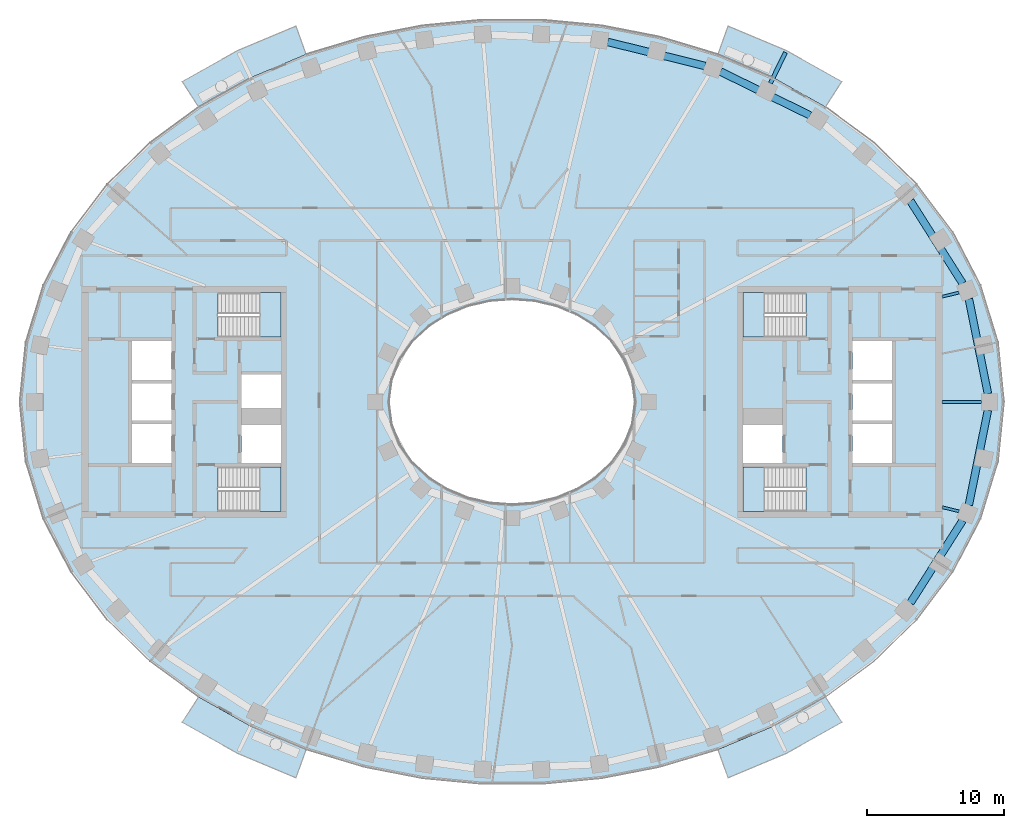
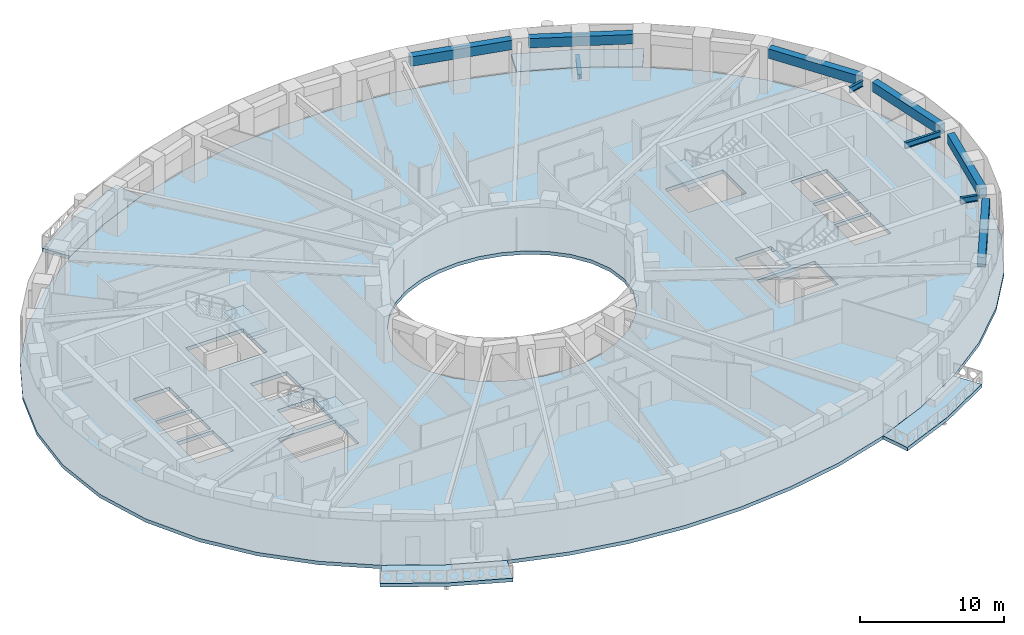
# One storey, part 2 of 15: 10 beams, 9 slabs, 4 elements without a shape of their own.
"""IFC4 building model written with IfcOpenShell, lengths in metres."""

from ifc_helpers import new_model, si_unit, direction, frame, origin, origin_2d, place, context, subcontext, project, spatial, polyline, rectangle, i_section, outline, extrude, material, layer, layer_set, material_profile, profile_set, type_object, element, aggregate, save


model = new_model("IFC4")

# Units and contexts
model_context = context("Model", 3, precision=1e-05, world=origin(), true_north=direction((0.0, 1.0)))
body_context = subcontext(model_context, "Body", "Model", "MODEL_VIEW")
ifc_project = project(units=[si_unit("LENGTHUNIT", "METRE"), si_unit("AREAUNIT", "SQUARE_METRE"), si_unit("VOLUMEUNIT", "CUBIC_METRE"), si_unit("PLANEANGLEUNIT", "RADIAN"), si_unit("MASSUNIT", "GRAM", prefix="KILO")], contexts=[model_context])

# Site, building, storey
site_placement = place(None, origin())
site = spatial("IfcSite", under=ifc_project, at=site_placement, CompositionType="ELEMENT")
building_placement = place(site_placement, origin())
building = spatial("IfcBuilding", under=site, at=building_placement, Name="Noorbagh Ring Tower", CompositionType="ELEMENT")
storey_placement = place(building_placement, frame((0.0, 0.0, 128.0)))
storey = spatial("IfcBuildingStorey", under=building, at=storey_placement, Name="L29", CompositionType="ELEMENT", Elevation=128.0)

# Beams
ifc_material_1 = material(Name="Steel S355", Category="steel")
ifc_material_profile_1 = material_profile(ifc_material_1, i_section(OverallWidth=0.300048828125, OverallDepth=0.39990234375, WebThickness=0.013427734375, FlangeThickness=0.02392578125, FilletRadius=0.027099609375, at=origin_2d()), Name="HEB400")
ifc_profile_set_1 = profile_set([ifc_material_profile_1], Name="Steel S355")
beam_type_1 = type_object("IfcBeamType", Name="STR-BALCONY-BRACKET-HEB400", PredefinedType="BEAM", material=ifc_profile_set_1)
beam_1_placement = place(storey_placement, frame((18.912109375, 23.328857421875, -0.5), z_axis=(0.439227645789, 0.898375798413, 0.0), x_axis=(-0.898375798413, 0.439227645789, 0.0)))
element("IfcBeam", 1, at=beam_1_placement, inside=storey, type_object=beam_type_1, Name="Balcony bracket beam BN02", PredefinedType="BEAM", context=body_context, shape_type="SweptSolid", body=[
    extrude(i_section(OverallWidth=0.300048828125, OverallDepth=0.39990234375, WebThickness=0.013427734375, FlangeThickness=0.02392578125, FilletRadius=0.027099609375, at=origin_2d()), origin(), (0.0, 0.0, 1.0), 2.500244140625),
])
ifc_material_2 = material(Name="Steel S355", Category="steel")
ifc_material_profile_2 = material_profile(ifc_material_2, i_section(OverallWidth=0.199951171875, OverallDepth=0.5, WebThickness=0.01025390625, FlangeThickness=0.01611328125, FilletRadius=0.02099609375, at=origin_2d()), Name="IPE500")
ifc_profile_set_2 = profile_set([ifc_material_profile_2], Name="Steel S355")
beam_type_2 = type_object("IfcBeamType", Name="STR-RAD-IPE500", PredefinedType="BEAM", material=ifc_profile_set_2)
beam_2_placement = place(storey_placement, frame((34.339599609375, 0.0, 3.449951171875), z_axis=(-1.0, 0.0, 0.0), x_axis=(0.0, -1.0, 0.0)))
element("IfcBeam", 2, at=beam_2_placement, inside=storey, type_object=beam_type_2, Name="L29/bm/RD01", PredefinedType="BEAM", context=body_context, shape_type="SweptSolid", body=[
    extrude(i_section(OverallWidth=0.199951171875, OverallDepth=0.5, WebThickness=0.01025390625, FlangeThickness=0.01611328125, FilletRadius=0.02099609375, at=origin_2d()), origin(), (0.0, 0.0, 1.0), 2.859619140625),
])
for number, where, z_axis, x_axis, name in (
    (3, (32.710693359375, 8.00390625, 3.449951171875), (-0.971343647719, -0.237679443865, 0.0), (0.237679443865, -0.971343647719, 0.0), "L29/bm/RD03"),
    (4, (32.710693359375, -8.00390625, 3.449951171875), (-0.971343647719, 0.237679443865, 0.0), (-0.237679443865, -0.971343647719, 0.0), "L29/bm/RD45"),
):
    element("IfcBeam", number, at=place(storey_placement, frame(where, z_axis=z_axis, x_axis=x_axis)), inside=storey, type_object=beam_type_2, Name=name, PredefinedType="BEAM", context=body_context, shape_type="SweptSolid", body=[
        extrude(i_section(OverallWidth=0.199951171875, OverallDepth=0.5, WebThickness=0.01025390625, FlangeThickness=0.01611328125, FilletRadius=0.02099609375, at=origin_2d()), origin(), (0.0, 0.0, 1.0), 1.2666015625),
    ])
ifc_material_3 = material(Name="Concrete C40/50", Category="concrete")
ifc_material_profile_3 = material_profile(ifc_material_3, rectangle(XDim=0.550048828125, YDim=0.800048828125, at=origin_2d()), Name="RC550x800")
ifc_profile_set_3 = profile_set([ifc_material_profile_3], Name="Concrete C40/50")
beam_type_3 = type_object("IfcBeamType", Name="STR-SB-RC550x800-C40-50", PredefinedType="BEAM", material=ifc_profile_set_3)
beam_3_placement = place(storey_placement, frame((34.822998046875, 0.60546875, 3.300048828125), z_axis=(-0.197250205232, 0.98035317949, 0.0), x_axis=(-0.98035317949, -0.197250205232, 0.0)))
element("IfcBeam", 5, at=beam_3_placement, inside=storey, type_object=beam_type_3, Name="L29/bm/SP01", PredefinedType="BEAM", context=body_context, shape_type="SweptSolid", body=[
    extrude(rectangle(XDim=0.550048828125, YDim=0.800048828125, at=origin_2d()), origin(), (0.0, 0.0, 1.0), 7.07861328125),
])
beam_4_placement = place(storey_placement, frame((32.97607421875, 8.668701171875, 3.300048828125), z_axis=(-0.535178715716, 0.844738860385, 0.0), x_axis=(-0.844738860385, -0.535178715716, 0.0)))
element("IfcBeam", 6, at=beam_4_placement, inside=storey, type_object=beam_type_3, Name="L29/bm/SP03", PredefinedType="BEAM", context=body_context, shape_type="SweptSolid", body=[
    extrude(rectangle(XDim=0.550048828125, YDim=0.800048828125, at=origin_2d()), origin(), (0.0, 0.0, 1.0), 7.15478515625),
])
beam_5_placement = place(storey_placement, frame((21.814453125, 20.967529296875, 3.300048828125), z_axis=(-0.898391398986, 0.439195735667, 0.0), x_axis=(-0.439195735667, -0.898391398986, 0.0)))
element("IfcBeam", 7, at=beam_5_placement, inside=storey, type_object=beam_type_3, Name="L29/bm/SP07", PredefinedType="BEAM", context=body_context, shape_type="SweptSolid", body=[
    extrude(rectangle(XDim=0.550048828125, YDim=0.800048828125, at=origin_2d()), origin(), (0.0, 0.0, 1.0), 7.2998046875),
])
beam_6_placement = place(storey_placement, frame((14.118896484375, 24.586669921875, 3.300048828125), z_axis=(-0.970829859213, 0.239769440213, 0.0), x_axis=(-0.239769440213, -0.970829859213, 0.0)))
element("IfcBeam", 8, at=beam_6_placement, inside=storey, type_object=beam_type_3, Name="L29/bm/SP09", PredefinedType="BEAM", context=body_context, shape_type="SweptSolid", body=[
    extrude(rectangle(XDim=0.550048828125, YDim=0.800048828125, at=origin_2d()), origin(), (0.0, 0.0, 1.0), 7.333251953125),
])
beam_7_placement = place(storey_placement, frame((29.14697265625, -14.712646484375, 3.300048828125), z_axis=(0.535178715716, 0.844738860385, 0.0), x_axis=(-0.844738860385, 0.535178715716, 0.0)))
element("IfcBeam", 9, at=beam_7_placement, inside=storey, type_object=beam_type_3, Name="L29/bm/SP43", PredefinedType="BEAM", context=body_context, shape_type="SweptSolid", body=[
    extrude(rectangle(XDim=0.550048828125, YDim=0.800048828125, at=origin_2d()), origin(), (0.0, 0.0, 1.0), 7.15478515625),
])
beam_8_placement = place(storey_placement, frame((33.4267578125, -7.544921875, 3.300048828125), z_axis=(0.197250205232, 0.98035317949, 0.0), x_axis=(-0.98035317949, 0.197250205232, 0.0)))
element("IfcBeam", 10, at=beam_8_placement, inside=storey, type_object=beam_type_3, Name="L29/bm/SP45", PredefinedType="BEAM", context=body_context, shape_type="SweptSolid", body=[
    extrude(rectangle(XDim=0.550048828125, YDim=0.800048828125, at=origin_2d()), origin(), (0.0, 0.0, 1.0), 7.07861328125),
])

# Stair, slab
ifc_material_4 = material(Name="Concrete C40/50", Category="concrete")
stair_type = type_object("IfcStairType", Name="CORE-STAIR", PredefinedType="HALF_TURN_STAIR", material=ifc_material_4)
stair_1_placement = place(storey_placement, origin())
stair_1 = element("IfcStair", 11, at=stair_1_placement, inside=storey, type_object=stair_type, Name="L29 Exit stair ST1", PredefinedType="HALF_TURN_STAIR")
ifc_material_5 = material(Name="Concrete C40/50", Category="concrete")
ifc_layer_1 = layer(ifc_material_5, 0.300048828125)
ifc_layer_set_1 = layer_set([ifc_layer_1], Name="Concrete C40/50")
slab_type_1 = type_object("IfcSlabType", Name="CORE-STAIR-LANDING", PredefinedType="LANDING", material=ifc_layer_set_1)
slab_1_placement = place(storey_placement, frame((0.0, 0.0, 1.699951171875)))
slab_1 = element("IfcSlab", 12, at=slab_1_placement, type_object=slab_type_1, Name="ST1 landing 1", PredefinedType="LANDING", context=body_context, shape_type="SweptSolid", body=[
    extrude(outline(polyline([(-18.449951171875, 4.75), (-16.89990234375, 4.75), (-16.89990234375, 8.0), (-18.449951171875, 8.0), (-18.449951171875, 4.75)])), origin(), (0.0, 0.0, 1.0), 0.300048828125),
])
aggregate(stair_1, [slab_1])

stair_2_placement = place(storey_placement, origin())
stair_2 = element("IfcStair", 13, at=stair_2_placement, inside=storey, type_object=stair_type, Name="L29 Exit stair ST2", PredefinedType="HALF_TURN_STAIR")
slab_2_placement = place(storey_placement, frame((0.0, 0.0, 1.699951171875)))
slab_2 = element("IfcSlab", 14, at=slab_2_placement, type_object=slab_type_1, Name="ST2 landing 1", PredefinedType="LANDING", context=body_context, shape_type="SweptSolid", body=[
    extrude(outline(polyline([(-18.449951171875, -8.0), (-16.89990234375, -8.0), (-16.89990234375, -4.75), (-18.449951171875, -4.75), (-18.449951171875, -8.0)])), origin(), (0.0, 0.0, 1.0), 0.300048828125),
])
aggregate(stair_2, [slab_2])

stair_3_placement = place(storey_placement, origin())
stair_3 = element("IfcStair", 15, at=stair_3_placement, inside=storey, type_object=stair_type, Name="L29 Exit stair ST3", PredefinedType="HALF_TURN_STAIR")
slab_3_placement = place(storey_placement, frame((0.0, 0.0, 1.699951171875)))
slab_3 = element("IfcSlab", 16, at=slab_3_placement, type_object=slab_type_1, Name="ST3 landing 1", PredefinedType="LANDING", context=body_context, shape_type="SweptSolid", body=[
    extrude(outline(polyline([(18.449951171875, 8.0), (16.89990234375, 8.0), (16.89990234375, 4.75), (18.449951171875, 4.75), (18.449951171875, 8.0)])), origin(), (0.0, 0.0, 1.0), 0.300048828125),
])
aggregate(stair_3, [slab_3])

stair_4_placement = place(storey_placement, origin())
stair_4 = element("IfcStair", 17, at=stair_4_placement, inside=storey, type_object=stair_type, Name="L29 Exit stair ST4", PredefinedType="HALF_TURN_STAIR")
slab_4_placement = place(storey_placement, frame((0.0, 0.0, 1.699951171875)))
slab_4 = element("IfcSlab", 18, at=slab_4_placement, type_object=slab_type_1, Name="ST4 landing 1", PredefinedType="LANDING", context=body_context, shape_type="SweptSolid", body=[
    extrude(outline(polyline([(18.449951171875, -4.75), (16.89990234375, -4.75), (16.89990234375, -8.0), (18.449951171875, -8.0), (18.449951171875, -4.75)])), origin(), (0.0, 0.0, 1.0), 0.300048828125),
])
aggregate(stair_4, [slab_4])

# Slabs
ifc_material_6 = material(Name="Concrete C40/50", Category="concrete")
ifc_layer_2 = layer(ifc_material_6, 0.300048828125)
ifc_layer_set_2 = layer_set([ifc_layer_2], Name="Concrete C40/50")
slab_type_2 = type_object("IfcSlabType", Name="ENV-BALCONY DECK 300", PredefinedType="FLOOR", material=ifc_layer_set_2)
slab_5_placement = place(storey_placement, frame((0.0, 0.0, -0.300048828125)))
element("IfcSlab", 19, at=slab_5_placement, inside=storey, type_object=slab_type_2, Name="Tree balcony deck BN02", PredefinedType="FLOOR", context=body_context, shape_type="SweptSolid", body=[
    extrude(outline(polyline([(24.1279296875, 23.435791015625), (20.076171875, 25.709716796875), (15.810791015625, 27.50341796875), (15.0654296875, 25.430419921875), (19.108154296875, 23.730224609375), (22.9326171875, 21.583740234375), (24.1279296875, 23.435791015625)])), origin(), (0.0, 0.0, 1.0), 0.300048828125),
])
slab_6_placement = place(storey_placement, frame((0.0, 0.0, -0.300048828125)))
element("IfcSlab", 20, at=slab_6_placement, inside=storey, type_object=slab_type_2, Name="Tree balcony deck BN05", PredefinedType="FLOOR", context=body_context, shape_type="SweptSolid", body=[
    extrude(outline(polyline([(-15.810791015625, 27.50341796875), (-20.076171875, 25.709716796875), (-24.1279296875, 23.435791015625), (-22.9326171875, 21.583740234375), (-19.108154296875, 23.730224609375), (-15.0654296875, 25.430419921875), (-15.810791015625, 27.50341796875)])), origin(), (0.0, 0.0, 1.0), 0.300048828125),
])
slab_7_placement = place(storey_placement, frame((0.0, 0.0, -0.300048828125)))
element("IfcSlab", 21, at=slab_7_placement, inside=storey, type_object=slab_type_2, Name="Tree balcony deck BS02", PredefinedType="FLOOR", context=body_context, shape_type="SweptSolid", body=[
    extrude(outline(polyline([(-24.1279296875, -23.435791015625), (-20.076171875, -25.709716796875), (-15.810791015625, -27.50341796875), (-15.0654296875, -25.430419921875), (-19.108154296875, -23.730224609375), (-22.9326171875, -21.583740234375), (-24.1279296875, -23.435791015625)])), origin(), (0.0, 0.0, 1.0), 0.300048828125),
])
slab_8_placement = place(storey_placement, frame((0.0, 0.0, -0.300048828125)))
element("IfcSlab", 22, at=slab_8_placement, inside=storey, type_object=slab_type_2, Name="Tree balcony deck BS05", PredefinedType="FLOOR", context=body_context, shape_type="SweptSolid", body=[
    extrude(outline(polyline([(15.810791015625, -27.50341796875), (20.076171875, -25.709716796875), (24.1279296875, -23.435791015625), (22.9326171875, -21.583740234375), (19.108154296875, -23.730224609375), (15.0654296875, -25.430419921875), (15.810791015625, -27.50341796875)])), origin(), (0.0, 0.0, 1.0), 0.300048828125),
])
ifc_material_7 = material(Name="Concrete C40/50", Category="concrete")
ifc_layer_3 = layer(ifc_material_7, 0.300048828125)
ifc_layer_set_3 = layer_set([ifc_layer_3], Name="Concrete C40/50")
slab_type_3 = type_object("IfcSlabType", Name="STR-FLOOR-DECK-300", PredefinedType="FLOOR", material=ifc_layer_set_3)
slab_9_placement = place(storey_placement, frame((0.0, 0.0, -0.300048828125)))
element("IfcSlab", 23, at=slab_9_placement, inside=storey, type_object=slab_type_3, Name="L29/slab/1", PredefinedType="FLOOR", context=body_context, shape_type="SweptSolid", body=[
    extrude(outline(polyline([(36.0, 0.0), (35.56103515625, 4.358642578125), (34.281005859375, 8.548828125), (32.255126953125, 12.434814453125), (29.607666015625, 15.92822265625), (26.463134765625, 18.983154296875), (22.9326171875, 21.583740234375), (19.108154296875, 23.730224609375), (15.0654296875, 25.430419921875), (10.865234375, 26.6943359375), (6.5595703125, 27.53125), (2.193115234375, 27.947998046875), (-2.193115234375, 27.947998046875), (-6.5595703125, 27.53125), (-10.865234375, 26.6943359375), (-15.0654296875, 25.430419921875), (-19.108154296875, 23.730224609375), (-22.9326171875, 21.583740234375), (-26.463134765625, 18.983154296875), (-29.607666015625, 15.92822265625), (-32.255126953125, 12.434814453125), (-34.281005859375, 8.548828125), (-35.56103515625, 4.358642578125), (-36.0, 0.0), (-35.56103515625, -4.358642578125), (-34.281005859375, -8.548828125), (-32.255126953125, -12.434814453125), (-29.607666015625, -15.92822265625), (-26.463134765625, -18.983154296875), (-22.9326171875, -21.583740234375), (-19.108154296875, -23.730224609375), (-15.0654296875, -25.430419921875), (-10.865234375, -26.6943359375), (-6.5595703125, -27.53125), (-2.193115234375, -27.947998046875), (2.193115234375, -27.947998046875), (6.5595703125, -27.53125), (10.865234375, -26.6943359375), (15.0654296875, -25.430419921875), (19.108154296875, -23.730224609375), (22.9326171875, -21.583740234375), (26.463134765625, -18.983154296875), (29.607666015625, -15.92822265625), (32.255126953125, -12.434814453125), (34.281005859375, -8.548828125), (35.56103515625, -4.358642578125), (36.0, 0.0)]), holes=[polyline([(24.89990234375, -1.60009765625), (27.800048828125, -1.60009765625), (27.800048828125, -4.449951171875), (24.89990234375, -4.449951171875), (24.89990234375, -1.60009765625)]), polyline([(24.89990234375, 1.35009765625), (27.800048828125, 1.35009765625), (27.800048828125, -1.35009765625), (24.89990234375, -1.35009765625), (24.89990234375, 1.35009765625)]), polyline([(24.89990234375, 4.449951171875), (27.800048828125, 4.449951171875), (27.800048828125, 1.60009765625), (24.89990234375, 1.60009765625), (24.89990234375, 4.449951171875)]), polyline([(21.529541015625, -4.75), (21.529541015625, -8.0), (16.89990234375, -8.0), (16.89990234375, -4.75), (21.529541015625, -4.75)]), polyline([(21.529541015625, 4.75), (16.89990234375, 4.75), (16.89990234375, 8.0), (21.529541015625, 8.0), (21.529541015625, 4.75)]), polyline([(16.89990234375, -1.699951171875), (19.800048828125, -1.699951171875), (19.800048828125, -4.449951171875), (16.89990234375, -4.449951171875), (16.89990234375, -1.699951171875)]), polyline([(4.697509765625, -6.3974609375), (3.196533203125, -7.010986328125), (1.6171875, -7.3779296875), (0.0, -7.5), (-1.6171875, -7.3779296875), (-3.196533203125, -7.010986328125), (-4.697509765625, -6.3974609375), (-6.071044921875, -5.53662109375), (-7.2587890625, -4.43408203125), (-8.1904296875, -3.10888671875), (-8.79150390625, -1.605224609375), (-9.0, 0.0), (-8.79150390625, 1.605224609375), (-8.1904296875, 3.10888671875), (-7.2587890625, 4.43408203125), (-6.071044921875, 5.53662109375), (-4.697509765625, 6.3974609375), (-3.196533203125, 7.010986328125), (-1.6171875, 7.3779296875), (0.0, 7.5), (1.6171875, 7.3779296875), (3.196533203125, 7.010986328125), (4.697509765625, 6.3974609375), (6.071044921875, 5.53662109375), (7.2587890625, 4.43408203125), (8.1904296875, 3.10888671875), (8.79150390625, 1.605224609375), (9.0, 0.0), (8.79150390625, -1.605224609375), (8.1904296875, -3.10888671875), (7.2587890625, -4.43408203125), (6.071044921875, -5.53662109375), (4.697509765625, -6.3974609375)]), polyline([(-21.529541015625, -8.0), (-21.529541015625, -4.75), (-16.89990234375, -4.75), (-16.89990234375, -8.0), (-21.529541015625, -8.0)]), polyline([(-21.529541015625, 8.0), (-16.89990234375, 8.0), (-16.89990234375, 4.75), (-21.529541015625, 4.75), (-21.529541015625, 8.0)]), polyline([(-16.89990234375, -4.449951171875), (-19.800048828125, -4.449951171875), (-19.800048828125, -1.699951171875), (-16.89990234375, -1.699951171875), (-16.89990234375, -4.449951171875)]), polyline([(-16.89990234375, -0.449951171875), (-19.800048828125, -0.449951171875), (-19.800048828125, 2.0), (-16.89990234375, 2.0), (-16.89990234375, -0.449951171875)]), polyline([(-24.89990234375, -4.449951171875), (-27.800048828125, -4.449951171875), (-27.800048828125, -1.60009765625), (-24.89990234375, -1.60009765625), (-24.89990234375, -4.449951171875)]), polyline([(-24.89990234375, -1.35009765625), (-27.800048828125, -1.35009765625), (-27.800048828125, 1.35009765625), (-24.89990234375, 1.35009765625), (-24.89990234375, -1.35009765625)]), polyline([(-24.89990234375, 1.60009765625), (-27.800048828125, 1.60009765625), (-27.800048828125, 4.449951171875), (-24.89990234375, 4.449951171875), (-24.89990234375, 1.60009765625)])]), origin(), (0.0, 0.0, 1.0), 0.300048828125),
])

save(model, "model.ifc")
